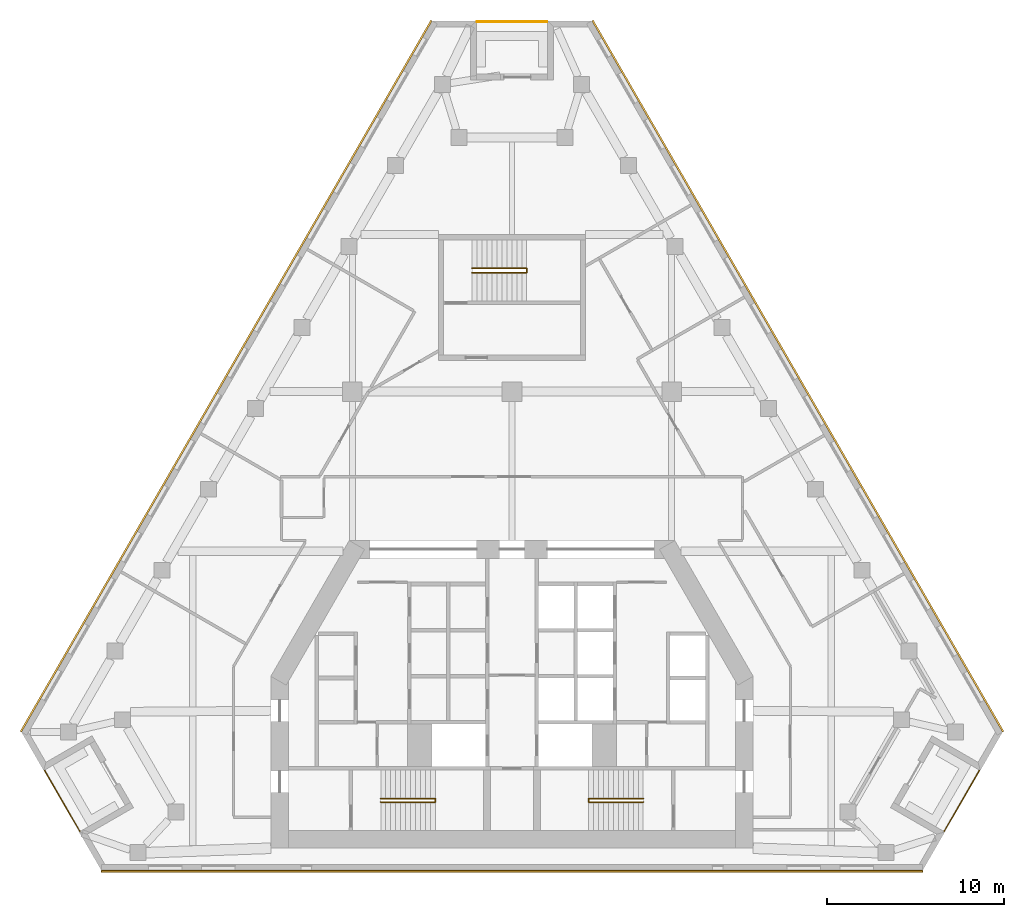
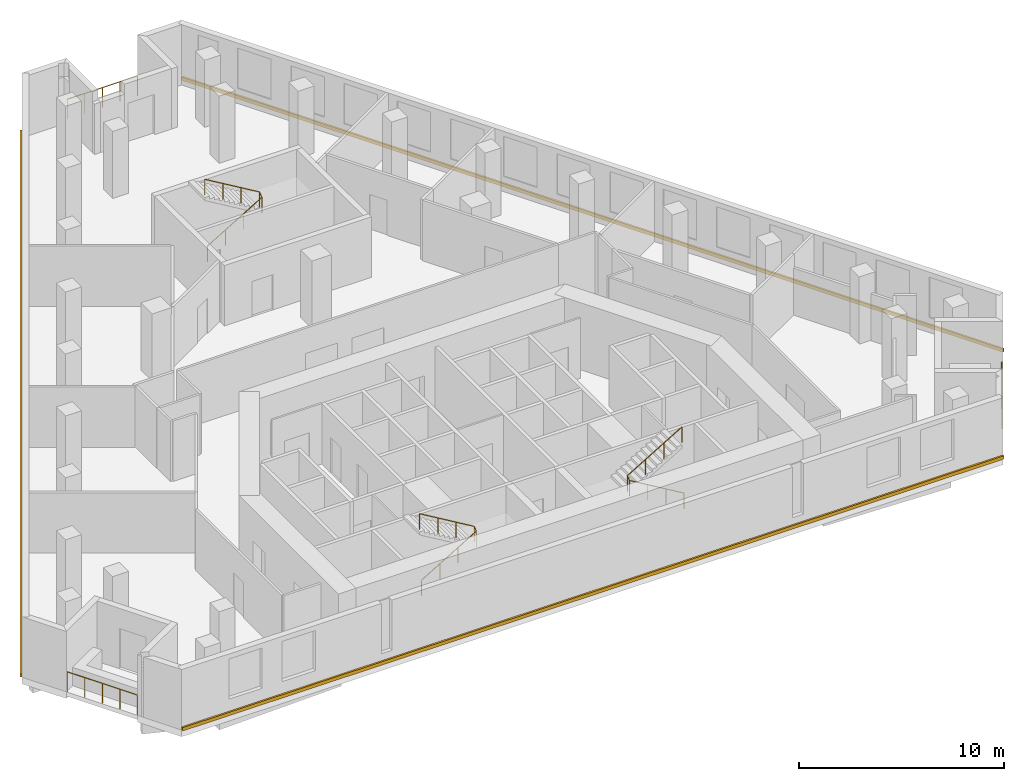
# One storey, part 9 of 9: 6 railings, 3 coverings.
"""IFC4 building model written with IfcOpenShell, lengths in metres."""

from ifc_helpers import new_model, si_unit, direction, frame, origin, origin_2d, place, context, subcontext, project, spatial, polyline, circle, outline, extrude, material, type_object, element, save


model = new_model("IFC4")

# Units and contexts
model_context = context("Model", 3, precision=1e-05, world=origin(), true_north=direction((0.0, 1.0)))
body_context = subcontext(model_context, "Body", "Model", "MODEL_VIEW")
ifc_project = project(units=[si_unit("LENGTHUNIT", "METRE"), si_unit("AREAUNIT", "SQUARE_METRE"), si_unit("VOLUMEUNIT", "CUBIC_METRE"), si_unit("PLANEANGLEUNIT", "RADIAN"), si_unit("MASSUNIT", "GRAM", prefix="KILO")], contexts=[model_context])

# Site, building, storey
site_placement = place(None, origin())
site = spatial("IfcSite", under=ifc_project, at=site_placement, CompositionType="ELEMENT")
building_placement = place(site_placement, origin())
building = spatial("IfcBuilding", under=site, at=building_placement, Name="Fogline Exchange Tower", CompositionType="ELEMENT")
storey_placement = place(building_placement, frame((0.0, 0.0, 194.10009765625)))
storey = spatial("IfcBuildingStorey", under=building, at=storey_placement, Name="L43", CompositionType="ELEMENT", Elevation=194.10009765625)

# Railings
ifc_material_1 = material(Name="Stainless steel 304", Category="steel")
railing_type_1 = type_object("IfcRailingType", Name="G1", PredefinedType="GUARDRAIL", material=ifc_material_1)
railing_1_placement = place(storey_placement, frame((-26.35498046875, 5.635986328125, 0.0)))
element("IfcRailing", 1, at=railing_1_placement, inside=storey, type_object=railing_type_1, Name="Balcony guard L43 SW", PredefinedType="GUARDRAIL", context=body_context, shape_type="SweptSolid", body=[
    extrude(circle(Radius=0.02392578125, at=origin_2d()), frame((0.0, 0.0, 1.17578125), z_axis=(0.499953838557, -0.866052053466, 0.0), x_axis=(0.866052053466, 0.499953838557, 0.0)), (0.0, 0.0, 1.0), 3.957763671875),
    extrude(circle(Radius=0.02099609375, at=origin_2d()), origin(), (0.0, 0.0, 1.0), 1.15185546875),
    extrude(circle(Radius=0.02099609375, at=origin_2d()), frame((0.49462890625, -0.85693359375, 0.0)), (0.0, 0.0, 1.0), 1.15185546875),
    extrude(circle(Radius=0.02099609375, at=origin_2d()), frame((0.9892578125, -1.7138671875, 0.0)), (0.0, 0.0, 1.0), 1.15185546875),
    extrude(circle(Radius=0.02099609375, at=origin_2d()), frame((1.484130859375, -2.57080078125, 0.0)), (0.0, 0.0, 1.0), 1.15185546875),
    extrude(circle(Radius=0.02099609375, at=origin_2d()), frame((1.978759765625, -3.427734375, 0.0)), (0.0, 0.0, 1.0), 1.15185546875),
])
railing_2_placement = place(storey_placement, frame((24.376220703125, 2.208251953125, 0.0)))
element("IfcRailing", 2, at=railing_2_placement, inside=storey, type_object=railing_type_1, Name="Balcony guard L43 SE", PredefinedType="GUARDRAIL", context=body_context, shape_type="SweptSolid", body=[
    extrude(circle(Radius=0.02392578125, at=origin_2d()), frame((0.0, 0.0, 1.17578125), z_axis=(0.499953838557, 0.866052053466, 0.0), x_axis=(-0.866052053466, 0.499953838557, 0.0)), (0.0, 0.0, 1.0), 3.957763671875),
    extrude(circle(Radius=0.02099609375, at=origin_2d()), origin(), (0.0, 0.0, 1.0), 1.15185546875),
    extrude(circle(Radius=0.02099609375, at=origin_2d()), frame((0.49462890625, 0.85693359375, 0.0)), (0.0, 0.0, 1.0), 1.15185546875),
    extrude(circle(Radius=0.02099609375, at=origin_2d()), frame((0.9892578125, 1.7138671875, 0.0)), (0.0, 0.0, 1.0), 1.15185546875),
    extrude(circle(Radius=0.02099609375, at=origin_2d()), frame((1.484130859375, 2.57080078125, 0.0)), (0.0, 0.0, 1.0), 1.15185546875),
    extrude(circle(Radius=0.02099609375, at=origin_2d()), frame((1.978759765625, 3.427734375, 0.0)), (0.0, 0.0, 1.0), 1.15185546875),
])
railing_3_placement = place(storey_placement, frame((1.97900390625, 47.856689453125, 0.0)))
element("IfcRailing", 3, at=railing_3_placement, inside=storey, type_object=railing_type_1, Name="Balcony guard L43 N", PredefinedType="GUARDRAIL", context=body_context, shape_type="SweptSolid", body=[
    extrude(circle(Radius=0.02392578125, at=origin_2d()), frame((0.0, 0.0, 1.17578125), z_axis=(-1.0, 0.0, 0.0), x_axis=(0.0, -1.0, 0.0)), (0.0, 0.0, 1.0), 3.9580078125),
    extrude(circle(Radius=0.02099609375, at=origin_2d()), origin(), (0.0, 0.0, 1.0), 1.15185546875),
    extrude(circle(Radius=0.02099609375, at=origin_2d()), frame((-0.989501953125, 0.0, 0.0)), (0.0, 0.0, 1.0), 1.15185546875),
    extrude(circle(Radius=0.02099609375, at=origin_2d()), frame((-1.97900390625, 0.0, 0.0)), (0.0, 0.0, 1.0), 1.15185546875),
    extrude(circle(Radius=0.02099609375, at=origin_2d()), frame((-2.968505859375, 0.0, 0.0)), (0.0, 0.0, 1.0), 1.15185546875),
    extrude(circle(Radius=0.02099609375, at=origin_2d()), frame((-3.9580078125, 0.0, 0.0)), (0.0, 0.0, 1.0), 1.15185546875),
])
ifc_material_2 = material(Name="Steel Q235B", Category="steel")
railing_type_2 = type_object("IfcRailingType", Name="RL-HR", PredefinedType="HANDRAIL", material=ifc_material_2)
railing_4_placement = place(storey_placement, frame((-7.39990234375, 3.85009765625, 0.16650390625)))
element("IfcRailing", 4, at=railing_4_placement, inside=storey, type_object=railing_type_2, Name="Handrail ST1", PredefinedType="HANDRAIL", context=body_context, shape_type="SweptSolid", body=[
    extrude(circle(Radius=0.02392578125, at=origin_2d()), frame((0.0, 0.0, 0.92578125), z_axis=(0.859260807169, 0.0, 0.511537745687), x_axis=(0.0, 1.0, 0.0)), (0.0, 0.0, 1.0), 3.584228515625),
    extrude(circle(Radius=0.02392578125, at=origin_2d()), frame((3.079833984375, 0.0, 2.75927734375), z_axis=(0.0, 0.768451954486, 0.639907488351), x_axis=(-1.0, 0.0, 0.0)), (0.0, 0.0, 1.0), 0.26025390625),
    extrude(circle(Radius=0.02392578125, at=origin_2d()), frame((3.079833984375, 0.199951171875, 2.92578125), z_axis=(-0.859260807169, 0.0, 0.511537745687), x_axis=(0.0, -1.0, 0.0)), (0.0, 0.0, 1.0), 3.584228515625),
    extrude(circle(Radius=0.02099609375, at=origin_2d()), origin(), (0.0, 0.0, 1.0), 0.90185546875),
    extrude(circle(Radius=0.02099609375, at=origin_2d()), frame((1.026611328125, 0.0, 0.611083984375)), (0.0, 0.0, 1.0), 0.90185546875),
    extrude(circle(Radius=0.02099609375, at=origin_2d()), frame((2.05322265625, 0.0, 1.222412109375)), (0.0, 0.0, 1.0), 0.90185546875),
    extrude(circle(Radius=0.02099609375, at=origin_2d()), frame((3.079833984375, 0.0, 1.83349609375)), (0.0, 0.0, 1.0), 0.90185546875),
    extrude(circle(Radius=0.02099609375, at=origin_2d()), frame((3.079833984375, 0.199951171875, 2.0)), (0.0, 0.0, 1.0), 0.90185546875),
    extrude(circle(Radius=0.02099609375, at=origin_2d()), frame((2.05322265625, 0.199951171875, 2.611083984375)), (0.0, 0.0, 1.0), 0.90185546875),
    extrude(circle(Radius=0.02099609375, at=origin_2d()), frame((1.026611328125, 0.199951171875, 3.222412109375)), (0.0, 0.0, 1.0), 0.90185546875),
    extrude(circle(Radius=0.02099609375, at=origin_2d()), frame((0.0, 0.199951171875, 3.83349609375)), (0.0, 0.0, 1.0), 0.90185546875),
])
railing_5_placement = place(storey_placement, frame((7.39990234375, 3.85009765625, 0.16650390625)))
element("IfcRailing", 5, at=railing_5_placement, inside=storey, type_object=railing_type_2, Name="Handrail ST2", PredefinedType="HANDRAIL", context=body_context, shape_type="SweptSolid", body=[
    extrude(circle(Radius=0.02392578125, at=origin_2d()), frame((0.0, 0.0, 0.92578125), z_axis=(-0.859260807169, 0.0, 0.511537745687), x_axis=(0.0, -1.0, 0.0)), (0.0, 0.0, 1.0), 3.584228515625),
    extrude(circle(Radius=0.02392578125, at=origin_2d()), frame((-3.079833984375, 0.0, 2.75927734375), z_axis=(0.0, 0.768451954486, 0.639907488351), x_axis=(-1.0, 0.0, 0.0)), (0.0, 0.0, 1.0), 0.26025390625),
    extrude(circle(Radius=0.02392578125, at=origin_2d()), frame((-3.079833984375, 0.199951171875, 2.92578125), z_axis=(0.859260807169, 0.0, 0.511537745687), x_axis=(0.0, 1.0, 0.0)), (0.0, 0.0, 1.0), 3.584228515625),
    extrude(circle(Radius=0.02099609375, at=origin_2d()), origin(), (0.0, 0.0, 1.0), 0.90185546875),
    extrude(circle(Radius=0.02099609375, at=origin_2d()), frame((-1.026611328125, 0.0, 0.611083984375)), (0.0, 0.0, 1.0), 0.90185546875),
    extrude(circle(Radius=0.02099609375, at=origin_2d()), frame((-2.05322265625, 0.0, 1.222412109375)), (0.0, 0.0, 1.0), 0.90185546875),
    extrude(circle(Radius=0.02099609375, at=origin_2d()), frame((-3.079833984375, 0.0, 1.83349609375)), (0.0, 0.0, 1.0), 0.90185546875),
    extrude(circle(Radius=0.02099609375, at=origin_2d()), frame((-3.079833984375, 0.199951171875, 2.0)), (0.0, 0.0, 1.0), 0.90185546875),
    extrude(circle(Radius=0.02099609375, at=origin_2d()), frame((-2.05322265625, 0.199951171875, 2.611083984375)), (0.0, 0.0, 1.0), 0.90185546875),
    extrude(circle(Radius=0.02099609375, at=origin_2d()), frame((-1.026611328125, 0.199951171875, 3.222412109375)), (0.0, 0.0, 1.0), 0.90185546875),
    extrude(circle(Radius=0.02099609375, at=origin_2d()), frame((0.0, 0.199951171875, 3.83349609375)), (0.0, 0.0, 1.0), 0.90185546875),
])
railing_6_placement = place(storey_placement, frame((-2.25, 33.70703125, 0.16650390625)))
element("IfcRailing", 6, at=railing_6_placement, inside=storey, type_object=railing_type_2, Name="Handrail ST3", PredefinedType="HANDRAIL", context=body_context, shape_type="SweptSolid", body=[
    extrude(circle(Radius=0.02392578125, at=origin_2d()), frame((0.0, 0.0, 0.92578125), z_axis=(0.85927862911, 0.0, 0.511507807912), x_axis=(0.0, 1.0, 0.0)), (0.0, 0.0, 1.0), 3.58447265625),
    extrude(circle(Radius=0.02392578125, at=origin_2d()), frame((3.080078125, 0.0, 2.75927734375), z_axis=(0.0, 0.832300300006, 0.554325004496), x_axis=(-1.0, 0.0, 0.0)), (0.0, 0.0, 1.0), 0.30029296875),
    extrude(circle(Radius=0.02392578125, at=origin_2d()), frame((3.080078125, 0.25, 2.92578125), z_axis=(-0.85927862911, 0.0, 0.511507807912), x_axis=(0.0, -1.0, 0.0)), (0.0, 0.0, 1.0), 3.58447265625),
    extrude(circle(Radius=0.02099609375, at=origin_2d()), origin(), (0.0, 0.0, 1.0), 0.90185546875),
    extrude(circle(Radius=0.02099609375, at=origin_2d()), frame((1.026611328125, 0.0, 0.611083984375)), (0.0, 0.0, 1.0), 0.90185546875),
    extrude(circle(Radius=0.02099609375, at=origin_2d()), frame((2.053466796875, 0.0, 1.222412109375)), (0.0, 0.0, 1.0), 0.90185546875),
    extrude(circle(Radius=0.02099609375, at=origin_2d()), frame((3.080078125, 0.0, 1.83349609375)), (0.0, 0.0, 1.0), 0.90185546875),
    extrude(circle(Radius=0.02099609375, at=origin_2d()), frame((3.080078125, 0.25, 2.0)), (0.0, 0.0, 1.0), 0.90185546875),
    extrude(circle(Radius=0.02099609375, at=origin_2d()), frame((2.053466796875, 0.25, 2.611083984375)), (0.0, 0.0, 1.0), 0.90185546875),
    extrude(circle(Radius=0.02099609375, at=origin_2d()), frame((1.026611328125, 0.25, 3.222412109375)), (0.0, 0.0, 1.0), 0.90185546875),
    extrude(circle(Radius=0.02099609375, at=origin_2d()), frame((0.0, 0.25, 3.83349609375)), (0.0, 0.0, 1.0), 0.90185546875),
])

# Coverings
ifc_material_3 = material(Name="Brick masonry", Category="masonry")
covering_type = type_object("IfcCoveringType", Name="SB1", PredefinedType="CLADDING", material=ifc_material_3)
covering_1_placement = place(storey_placement, origin())
element("IfcCovering", 7, at=covering_1_placement, inside=storey, type_object=covering_type, Name="Stringcourse band L43 S", PredefinedType="CLADDING", context=body_context, shape_type="SweptSolid", body=[
    extrude(outline(polyline([(-23.158935546875, 0.0), (-23.158935546875, -0.10009765625), (23.158935546875, -0.10009765625), (23.158935546875, 0.0), (-23.158935546875, 0.0)])), origin(), (0.0, 0.0, 1.0), 0.199951171875),
])
covering_2_placement = place(storey_placement, origin())
element("IfcCovering", 8, at=covering_2_placement, inside=storey, type_object=covering_type, Name="Stringcourse band L43 E", PredefinedType="CLADDING", context=body_context, shape_type="SweptSolid", body=[
    extrude(outline(polyline([(27.658935546875, 7.794189453125), (27.74560546875, 7.84423828125), (4.586669921875, 47.956787109375), (4.5, 47.90673828125), (27.658935546875, 7.794189453125)])), origin(), (0.0, 0.0, 1.0), 0.199951171875),
])
covering_3_placement = place(storey_placement, origin())
element("IfcCovering", 9, at=covering_3_placement, inside=storey, type_object=covering_type, Name="Stringcourse band L43 W", PredefinedType="CLADDING", context=body_context, shape_type="SweptSolid", body=[
    extrude(outline(polyline([(-4.5, 47.90673828125), (-4.586669921875, 47.956787109375), (-27.74560546875, 7.84423828125), (-27.658935546875, 7.794189453125), (-4.5, 47.90673828125)])), origin(), (0.0, 0.0, 1.0), 0.199951171875),
])

save(model, "model.ifc")
